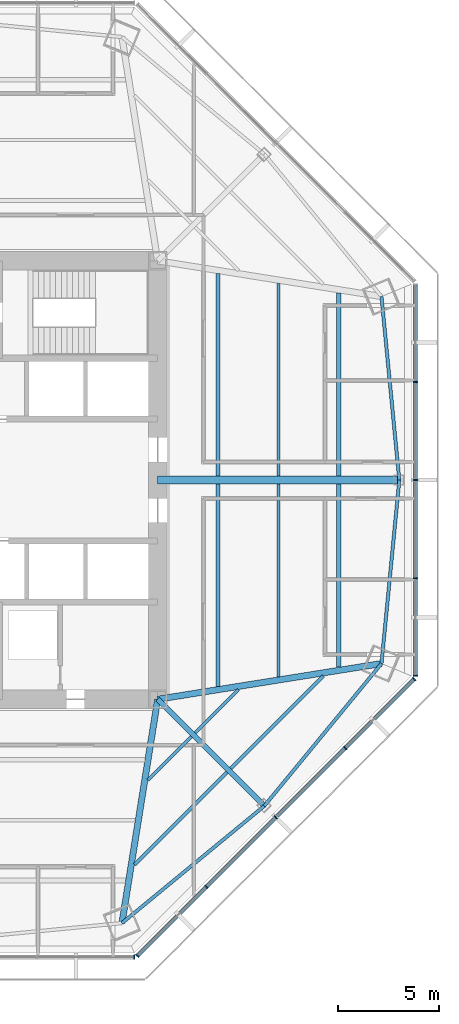
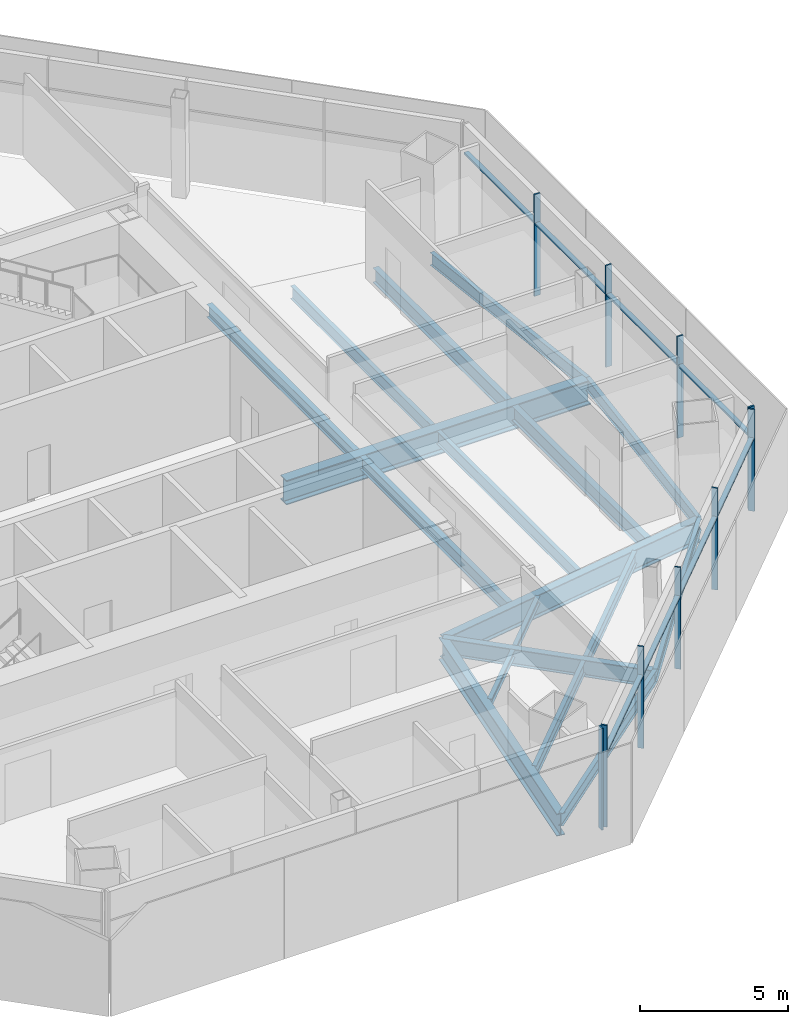
# One storey, part 4 of 15: 18 beams, 18 members, 3 elements without a shape of their own.
"""IFC4 building model written with IfcOpenShell, lengths in metres."""

from ifc_helpers import new_model, si_unit, direction, frame, origin, origin_2d, place, context, subcontext, project, spatial, rectangle, i_section, extrude, source, transform, mapped, material, material_profile, profile_set, type_object, type_shapes, element, aggregate, save


model = new_model("IFC4")

# Units and contexts
model_context = context("Model", 3, precision=1e-05, world=origin(), true_north=direction((0.0, 1.0)))
body_context = subcontext(model_context, "Body", "Model", "MODEL_VIEW")
ifc_project = project(units=[si_unit("LENGTHUNIT", "METRE"), si_unit("AREAUNIT", "SQUARE_METRE"), si_unit("VOLUMEUNIT", "CUBIC_METRE"), si_unit("PLANEANGLEUNIT", "RADIAN"), si_unit("MASSUNIT", "GRAM", prefix="KILO")], contexts=[model_context])

# Site, building, storey
site_placement = place(None, origin())
site = spatial("IfcSite", under=ifc_project, at=site_placement, CompositionType="ELEMENT")
building_placement = place(site_placement, origin())
building = spatial("IfcBuilding", under=site, at=building_placement, Name="Mashrafa Tower", CompositionType="ELEMENT")
storey_placement = place(building_placement, frame((0.0, 0.0, 159.60009765625)))
storey = spatial("IfcBuildingStorey", under=building, at=storey_placement, Name="L36", CompositionType="ELEMENT", Elevation=159.60009765625)

# Beams
ifc_material_1 = material(Name="Steel ASTM A992", Category="steel")
ifc_material_profile_1 = material_profile(ifc_material_1, i_section(OverallWidth=0.164794921875, OverallDepth=0.309814453125, WebThickness=0.005859375, FlangeThickness=0.009765625, FilletRadius=0.007568359375, at=origin_2d()), Name="W12X26")
ifc_profile_set_1 = profile_set([ifc_material_profile_1], Name="Steel ASTM A992")
beam_type_1 = type_object("IfcBeamType", Name="Beam W12X26", PredefinedType="BEAM", material=ifc_profile_set_1)
for number, where, z_axis, x_axis, name in (
    (1, (12.460693359375, -12.64208984375, -0.320068359375), (-0.707066454586, -0.707147105488, 0.0), (0.707147105488, -0.707066454586, 0.0), "Floor beam L36 029"),
    (2, (14.78271484375, -10.3203125, -0.320068359375), (-0.707147105488, -0.707066454586, 0.0), (0.707066454586, -0.707147105488, 0.0), "Floor beam L36 035"),
):
    element("IfcBeam", number, at=place(storey_placement, frame(where, z_axis=z_axis, x_axis=x_axis)), inside=storey, type_object=beam_type_1, Name=name, PredefinedType="BEAM", context=body_context, shape_type="SweptSolid", body=[
        extrude(i_section(OverallWidth=0.164794921875, OverallDepth=0.309814453125, WebThickness=0.005859375, FlangeThickness=0.009765625, FilletRadius=0.007568359375, at=origin_2d()), origin(), (0.0, 0.0, 1.0), 3.027099609375),
    ])
ifc_material_2 = material(Name="Steel ASTM A992", Category="steel")
ifc_material_profile_2 = material_profile(ifc_material_2, i_section(OverallWidth=0.1650390625, OverallDepth=0.52587890625, WebThickness=0.0087890625, FlangeThickness=0.011474609375, FilletRadius=0.0126953125, at=origin_2d()), Name="W21X44")
ifc_profile_set_2 = profile_set([ifc_material_profile_2], Name="Steel ASTM A992")
beam_type_2 = type_object("IfcBeamType", Name="Beam W21X44", PredefinedType="BEAM", material=ifc_profile_set_2)
for number, where, z_axis, x_axis, name in (
    (3, (14.21240234375, -14.393798828125, -0.427978515625), (-0.707125722477, -0.707087839389, 0.0), (0.707087839389, -0.707125722477, 0.0), "Floor beam L36 033"),
    (4, (18.95068359375, -9.6552734375, -0.427978515625), (-0.707087839389, -0.707125722477, 0.0), (0.707125722477, -0.707087839389, 0.0), "Floor beam L36 038"),
):
    element("IfcBeam", number, at=place(storey_placement, frame(where, z_axis=z_axis, x_axis=x_axis)), inside=storey, type_object=beam_type_2, Name=name, PredefinedType="BEAM", context=body_context, shape_type="SweptSolid", body=[
        extrude(i_section(OverallWidth=0.1650390625, OverallDepth=0.52587890625, WebThickness=0.0087890625, FlangeThickness=0.011474609375, FilletRadius=0.0126953125, at=origin_2d()), origin(), (0.0, 0.0, 1.0), 6.444580078125),
    ])
for number, where, z_axis, x_axis, name in (
    (5, (9.040771484375, -21.826416015625, -0.427978515625), (0.772145878727, 0.635445309972, 0.0), (-0.635445309972, 0.772145878727, 0.0), "Spandrel beam L36 066"),
    (6, (16.054443359375, -16.054443359375, -0.427978515625), (0.635445309972, 0.772145878727, 0.0), (-0.772145878727, 0.635445309972, 0.0), "Spandrel beam L36 068"),
    (7, (21.826416015625, -9.040771484375, -0.427978515625), (0.096679808275, 0.995315535231, 0.0), (-0.995315535231, 0.096679808275, 0.0), "Spandrel beam L36 070"),
    (8, (22.70458984375, 0.0, -0.427978515625), (-0.096679808275, 0.995315535231, 0.0), (-0.995315535231, -0.096679808275, 0.0), "Spandrel beam L36 072"),
):
    element("IfcBeam", number, at=place(storey_placement, frame(where, z_axis=z_axis, x_axis=x_axis)), inside=storey, type_object=beam_type_2, Name=name, PredefinedType="BEAM", context=body_context, shape_type="SweptSolid", body=[
        extrude(i_section(OverallWidth=0.1650390625, OverallDepth=0.52587890625, WebThickness=0.0087890625, FlangeThickness=0.011474609375, FilletRadius=0.0126953125, at=origin_2d()), origin(), (0.0, 0.0, 1.0), 9.083251953125),
    ])
ifc_material_3 = material(Name="Steel ASTM A992", Category="steel")
ifc_material_profile_3 = material_profile(ifc_material_3, i_section(OverallWidth=0.165771484375, OverallDepth=0.5283203125, WebThickness=0.009765625, FlangeThickness=0.013671875, FilletRadius=0.012939453125, at=origin_2d()), Name="W21X50")
ifc_profile_set_3 = profile_set([ifc_material_profile_3], Name="Steel ASTM A992")
beam_type_3 = type_object("IfcBeamType", Name="Beam W21X50", PredefinedType="BEAM", material=ifc_profile_set_3)
for number, where, z_axis, x_axis, name in (
    (9, (16.752197265625, -0.20068359375, -0.42919921875), (0.0, -1.0, 0.0), (1.0, 0.0, 0.0), "Floor beam L36 036"),
    (10, (16.752197265625, 9.694580078125, -0.42919921875), (0.0, -1.0, 0.0), (1.0, 0.0, 0.0), "Floor beam L36 037"),
):
    element("IfcBeam", number, at=place(storey_placement, frame(where, z_axis=z_axis, x_axis=x_axis)), inside=storey, type_object=beam_type_3, Name=name, PredefinedType="BEAM", context=body_context, shape_type="SweptSolid", body=[
        extrude(i_section(OverallWidth=0.165771484375, OverallDepth=0.5283203125, WebThickness=0.009765625, FlangeThickness=0.013671875, FilletRadius=0.012939453125, at=origin_2d()), origin(), (0.0, 0.0, 1.0), 9.493896484375),
    ])
ifc_material_4 = material(Name="Steel ASTM A992", Category="steel")
ifc_material_profile_4 = material_profile(ifc_material_4, i_section(OverallWidth=0.209228515625, OverallDepth=0.533447265625, WebThickness=0.01025390625, FlangeThickness=0.015625, FilletRadius=0.012939453125, at=origin_2d()), Name="W21X62")
ifc_profile_set_4 = profile_set([ifc_material_profile_4], Name="Steel ASTM A992")
beam_type_4 = type_object("IfcBeamType", Name="Beam W21X62", PredefinedType="BEAM", material=ifc_profile_set_4)
for number, where, z_axis, x_axis, name in (
    (11, (13.776123046875, -0.20068359375, -0.431884765625), (0.0, -1.0, 0.0), (1.0, 0.0, 0.0), "Floor beam L36 031"),
    (12, (13.776123046875, 10.169677734375, -0.431884765625), (0.0, -1.0, 0.0), (1.0, 0.0, 0.0), "Floor beam L36 032"),
):
    element("IfcBeam", number, at=place(storey_placement, frame(where, z_axis=z_axis, x_axis=x_axis)), inside=storey, type_object=beam_type_4, Name=name, PredefinedType="BEAM", context=body_context, shape_type="SweptSolid", body=[
        extrude(i_section(OverallWidth=0.209228515625, OverallDepth=0.533447265625, WebThickness=0.01025390625, FlangeThickness=0.015625, FilletRadius=0.012939453125, at=origin_2d()), origin(), (0.0, 0.0, 1.0), 9.968994140625),
    ])
ifc_material_5 = material(Name="Steel ASTM A992", Category="steel")
ifc_material_profile_5 = material_profile(ifc_material_5, i_section(OverallWidth=0.227783203125, OverallDepth=0.60205078125, WebThickness=0.010498046875, FlangeThickness=0.014892578125, FilletRadius=0.012939453125, at=origin_2d()), Name="W24X68")
ifc_profile_set_5 = profile_set([ifc_material_profile_5], Name="Steel ASTM A992")
beam_type_5 = type_object("IfcBeamType", Name="Beam W24X68", PredefinedType="BEAM", material=ifc_profile_set_5)
for number, where, z_axis, x_axis, name in (
    (13, (19.728515625, -0.20068359375, -0.466064453125), (0.0, -1.0, 0.0), (1.0, 0.0, 0.0), "Floor beam L36 039"),
    (14, (19.728515625, 9.219970703125, -0.466064453125), (0.0, -1.0, 0.0), (1.0, 0.0, 0.0), "Floor beam L36 040"),
):
    element("IfcBeam", number, at=place(storey_placement, frame(where, z_axis=z_axis, x_axis=x_axis)), inside=storey, type_object=beam_type_5, Name=name, PredefinedType="BEAM", context=body_context, shape_type="SweptSolid", body=[
        extrude(i_section(OverallWidth=0.227783203125, OverallDepth=0.60205078125, WebThickness=0.010498046875, FlangeThickness=0.014892578125, FilletRadius=0.012939453125, at=origin_2d()), origin(), (0.0, 0.0, 1.0), 9.019287109375),
    ])
ifc_material_6 = material(Name="Steel ASTM A992", Category="steel")
ifc_material_profile_6 = material_profile(ifc_material_6, i_section(OverallWidth=0.256591796875, OverallDepth=0.693359375, WebThickness=0.014404296875, FlangeThickness=0.023681640625, FilletRadius=0.01513671875, at=origin_2d()), Name="W27X114")
ifc_profile_set_6 = profile_set([ifc_material_profile_6], Name="Steel ASTM A992")
beam_type_6 = type_object("IfcBeamType", Name="Beam W27X114", PredefinedType="BEAM", material=ifc_profile_set_6)
beam_1_placement = place(storey_placement, frame((10.800048828125, -10.800048828125, -0.51171875), z_axis=(0.707106781187, -0.707106781187, 0.0), x_axis=(0.707106781187, 0.707106781187, 0.0)))
element("IfcBeam", 15, at=beam_1_placement, inside=storey, type_object=beam_type_6, Name="Radial girder L36 051", PredefinedType="BEAM", context=body_context, shape_type="SweptSolid", body=[
    extrude(i_section(OverallWidth=0.256591796875, OverallDepth=0.693359375, WebThickness=0.014404296875, FlangeThickness=0.023681640625, FilletRadius=0.01513671875, at=origin_2d()), origin(), (0.0, 0.0, 1.0), 7.430908203125),
])
ifc_material_7 = material(Name="Steel ASTM A992", Category="steel")
ifc_material_profile_7 = material_profile(ifc_material_7, i_section(OverallWidth=0.307373046875, OverallDepth=0.927001953125, WebThickness=0.01953125, FlangeThickness=0.031982421875, FilletRadius=0.01904296875, at=origin_2d()), Name="W36X194")
ifc_profile_set_7 = profile_set([ifc_material_profile_7], Name="Steel ASTM A992")
beam_type_7 = type_object("IfcBeamType", Name="Beam W36X194", PredefinedType="BEAM", material=ifc_profile_set_7)
for number, where, z_axis, x_axis, name in (
    (16, (10.800048828125, -10.800048828125, -0.628662109375), (-0.157558985412, -0.987509577734, 0.0), (0.987509577734, -0.157558985412, 0.0), "Radial girder L36 050"),
    (17, (10.800048828125, -10.800048828125, -0.628662109375), (0.987509577734, 0.157558985412, 0.0), (-0.157558985412, 0.987509577734, 0.0), "Radial girder L36 052"),
):
    element("IfcBeam", number, at=place(storey_placement, frame(where, z_axis=z_axis, x_axis=x_axis)), inside=storey, type_object=beam_type_7, Name=name, PredefinedType="BEAM", context=body_context, shape_type="SweptSolid", body=[
        extrude(i_section(OverallWidth=0.307373046875, OverallDepth=0.927001953125, WebThickness=0.01953125, FlangeThickness=0.031982421875, FilletRadius=0.01904296875, at=origin_2d()), origin(), (0.0, 0.0, 1.0), 11.165771484375),
    ])
ifc_material_8 = material(Name="Steel ASTM A992", Category="steel")
ifc_material_profile_8 = material_profile(ifc_material_8, i_section(OverallWidth=0.4013671875, OverallDepth=1.010986328125, WebThickness=0.023681640625, FlangeThickness=0.0419921875, FilletRadius=0.02001953125, at=origin_2d()), Name="W40X297")
ifc_profile_set_8 = profile_set([ifc_material_profile_8], Name="Steel ASTM A992")
beam_type_8 = type_object("IfcBeamType", Name="Beam W40X297", PredefinedType="BEAM", material=ifc_profile_set_8)
beam_2_placement = place(storey_placement, frame((10.800048828125, 0.0, -0.670654296875), z_axis=(1.0, 0.0, 0.0), x_axis=(0.0, 1.0, 0.0)))
element("IfcBeam", 18, at=beam_2_placement, inside=storey, type_object=beam_type_8, Name="Radial girder L36 053", PredefinedType="BEAM", context=body_context, shape_type="SweptSolid", body=[
    extrude(i_section(OverallWidth=0.4013671875, OverallDepth=1.010986328125, WebThickness=0.023681640625, FlangeThickness=0.0419921875, FilletRadius=0.02001953125, at=origin_2d()), origin(), (0.0, 0.0, 1.0), 11.904541015625),
])

# Curtain wall, members
ifc_material_9 = material(Name="Unitised aluminium curtain wall", Category="aluminium")
curtain_wall_type = type_object("IfcCurtainWallType", Name="Office curtain wall, zone 2 CW-B 225 deep", PredefinedType="NOTDEFINED", material=ifc_material_9)
curtain_wall_1_placement = place(storey_placement, origin())
curtain_wall_1 = element("IfcCurtainWall", 19, at=curtain_wall_1_placement, inside=storey, type_object=curtain_wall_type, Name="Office curtain wall, zone 2 L36 east", PredefinedType="NOTDEFINED")
ifc_material_10 = material(Name="Extruded aluminium mullion", Category="aluminium")
ifc_material_profile_9 = material_profile(ifc_material_10, rectangle(XDim=0.22509765625, YDim=0.06494140625, at=origin_2d()), Name="Mullion 65x225")
ifc_profile_set_9 = profile_set([ifc_material_profile_9], Name="Extruded aluminium mullion")
member_type_1 = type_object("IfcMemberType", Name="Mullion CW-B 65 x 225", PredefinedType="MULLION", material=ifc_profile_set_9)
shared_shape_1 = source(origin(), body_context, "Body", "SweptSolid", [
    extrude(rectangle(XDim=0.22509765625, YDim=0.06494140625, at=origin_2d()), origin(), (0.0, 0.0, 1.0), 4.199951171875),
])
type_shapes(member_type_1, [shared_shape_1])
member_1_placement = place(storey_placement, frame((23.499755859375, -9.644775390625, 0.0), z_axis=(0.0, 0.0, 1.0), x_axis=(-1.0, 0.0, 0.0)))
member_1 = element("IfcMember", 20, at=member_1_placement, type_object=member_type_1, Name="CW-B mullion 1", PredefinedType="MULLION", context=body_context, shape_type="MappedRepresentation", body=[
    mapped(shared_shape_1, transform((0.0, 0.0, 0.0))),
])
member_2_placement = place(storey_placement, frame((23.499755859375, -4.838623046875, 0.0), z_axis=(0.0, 0.0, 1.0), x_axis=(-1.0, 0.0, 0.0)))
member_2 = element("IfcMember", 21, at=member_2_placement, type_object=member_type_1, Name="CW-B mullion 2", PredefinedType="MULLION", context=body_context, shape_type="MappedRepresentation", body=[
    mapped(shared_shape_1, transform((0.0, 0.0, 0.0))),
])
member_3_placement = place(storey_placement, frame((23.499755859375, 0.0, 0.0), z_axis=(0.0, 0.0, 1.0), x_axis=(-1.0, 0.0, 0.0)))
member_3 = element("IfcMember", 22, at=member_3_placement, type_object=member_type_1, Name="CW-B mullion 3", PredefinedType="MULLION", context=body_context, shape_type="MappedRepresentation", body=[
    mapped(shared_shape_1, transform((0.0, 0.0, 0.0))),
])
member_4_placement = place(storey_placement, frame((23.499755859375, 4.838623046875, 0.0), z_axis=(0.0, 0.0, 1.0), x_axis=(-1.0, 0.0, 0.0)))
member_4 = element("IfcMember", 23, at=member_4_placement, type_object=member_type_1, Name="CW-B mullion 4", PredefinedType="MULLION", context=body_context, shape_type="MappedRepresentation", body=[
    mapped(shared_shape_1, transform((0.0, 0.0, 0.0))),
])

# Curtain wall, member
curtain_wall_2_placement = place(storey_placement, origin())
curtain_wall_2 = element("IfcCurtainWall", 24, at=curtain_wall_2_placement, inside=storey, type_object=curtain_wall_type, Name="Office curtain wall, zone 2 L36 south", PredefinedType="NOTDEFINED")
member_5_placement = place(storey_placement, frame((9.644775390625, -23.499755859375, 0.0), z_axis=(0.0, 0.0, 1.0), x_axis=(0.0, 1.0, 0.0)))
member_5 = element("IfcMember", 25, at=member_5_placement, type_object=member_type_1, Name="CW-B mullion 5", PredefinedType="MULLION", context=body_context, shape_type="MappedRepresentation", body=[
    mapped(shared_shape_1, transform((0.0, 0.0, 0.0))),
])
aggregate(curtain_wall_2, [member_5])

# Curtain wall, members
curtain_wall_3_placement = place(storey_placement, origin())
curtain_wall_3 = element("IfcCurtainWall", 26, at=curtain_wall_3_placement, inside=storey, type_object=curtain_wall_type, Name="Office curtain wall, zone 2 L36 south-east", PredefinedType="NOTDEFINED")
member_6_placement = place(storey_placement, frame((9.796875, -23.436767578125, 0.0), z_axis=(0.0, 0.0, 1.0), x_axis=(-0.707106781187, 0.707106781187, 0.0)))
member_6 = element("IfcMember", 27, at=member_6_placement, type_object=member_type_1, Name="CW-B mullion 1", PredefinedType="MULLION", context=body_context, shape_type="MappedRepresentation", body=[
    mapped(shared_shape_1, transform((0.0, 0.0, 0.0))),
])
member_7_placement = place(storey_placement, frame((13.195556640625, -20.038330078125, 0.0), z_axis=(0.0, 0.0, 1.0), x_axis=(-0.707106781187, 0.707106781187, 0.0)))
member_7 = element("IfcMember", 28, at=member_7_placement, type_object=member_type_1, Name="CW-B mullion 2", PredefinedType="MULLION", context=body_context, shape_type="MappedRepresentation", body=[
    mapped(shared_shape_1, transform((0.0, 0.0, 0.0))),
])
member_8_placement = place(storey_placement, frame((16.616943359375, -16.616943359375, 0.0), z_axis=(0.0, 0.0, 1.0), x_axis=(-0.707106781187, 0.707106781187, 0.0)))
member_8 = element("IfcMember", 29, at=member_8_placement, type_object=member_type_1, Name="CW-B mullion 3", PredefinedType="MULLION", context=body_context, shape_type="MappedRepresentation", body=[
    mapped(shared_shape_1, transform((0.0, 0.0, 0.0))),
])
member_9_placement = place(storey_placement, frame((20.038330078125, -13.195556640625, 0.0), z_axis=(0.0, 0.0, 1.0), x_axis=(-0.707106781187, 0.707106781187, 0.0)))
member_9 = element("IfcMember", 30, at=member_9_placement, type_object=member_type_1, Name="CW-B mullion 4", PredefinedType="MULLION", context=body_context, shape_type="MappedRepresentation", body=[
    mapped(shared_shape_1, transform((0.0, 0.0, 0.0))),
])
member_10_placement = place(storey_placement, frame((23.436767578125, -9.796875, 0.0), z_axis=(0.0, 0.0, 1.0), x_axis=(-0.707106781187, 0.707106781187, 0.0)))
member_10 = element("IfcMember", 31, at=member_10_placement, type_object=member_type_1, Name="CW-B mullion 5", PredefinedType="MULLION", context=body_context, shape_type="MappedRepresentation", body=[
    mapped(shared_shape_1, transform((0.0, 0.0, 0.0))),
])

# Member
ifc_material_11 = material(Name="Extruded aluminium transom", Category="aluminium")
ifc_material_profile_10 = material_profile(ifc_material_11, rectangle(XDim=0.179931640625, YDim=0.080078125, at=origin_2d()), Name="Transom 80x180")
ifc_profile_set_10 = profile_set([ifc_material_profile_10], Name="Extruded aluminium transom")
member_type_2 = type_object("IfcMemberType", Name="Transom CW-B 80 x 180", PredefinedType="MULLION", material=ifc_profile_set_10)
shared_shape_2 = source(origin(), body_context, "Body", "SweptSolid", [
    extrude(rectangle(XDim=0.179931640625, YDim=0.080078125, at=origin_2d()), origin(), (0.0, 0.0, 1.0), 4.7412109375),
])
member_11_placement = place(storey_placement, frame((23.499755859375, -9.6123046875, 3.0), z_axis=(0.0, 1.0, 0.0), x_axis=(-1.0, 0.0, 0.0)))
member_11 = element("IfcMember", 32, at=member_11_placement, type_object=member_type_2, Name="CW-B transom 1", PredefinedType="MULLION", context=body_context, shape_type="MappedRepresentation", body=[
    mapped(shared_shape_2, transform((0.0, 0.0, 0.0))),
])

member_12_placement = place(storey_placement, frame((23.499755859375, 4.87109375, 3.0), z_axis=(0.0, 1.0, 0.0), x_axis=(-1.0, 0.0, 0.0)))
member_12 = element("IfcMember", 33, at=member_12_placement, type_object=member_type_2, Name="CW-B transom 4", PredefinedType="MULLION", context=body_context, shape_type="MappedRepresentation", body=[
    mapped(shared_shape_2, transform((0.0, 0.0, 0.0))),
])

member_13_placement = place(storey_placement, frame((9.81982421875, -23.413818359375, 3.0), z_axis=(0.707106781187, 0.707106781187, 0.0), x_axis=(-0.707106781187, 0.707106781187, 0.0)))
member_13 = element("IfcMember", 34, at=member_13_placement, type_object=member_type_2, Name="CW-B transom 1", PredefinedType="MULLION", context=body_context, shape_type="MappedRepresentation", body=[
    mapped(shared_shape_2, transform((0.0, 0.0, 0.0))),
])

member_14_placement = place(storey_placement, frame((20.061279296875, -13.17236328125, 3.0), z_axis=(0.707106781187, 0.707106781187, 0.0), x_axis=(-0.707106781187, 0.707106781187, 0.0)))
member_14 = element("IfcMember", 35, at=member_14_placement, type_object=member_type_2, Name="CW-B transom 4", PredefinedType="MULLION", context=body_context, shape_type="MappedRepresentation", body=[
    mapped(shared_shape_2, transform((0.0, 0.0, 0.0))),
])

shared_shape_3 = source(origin(), body_context, "Body", "SweptSolid", [
    extrude(rectangle(XDim=0.179931640625, YDim=0.080078125, at=origin_2d()), origin(), (0.0, 0.0, 1.0), 4.773681640625),
])
type_shapes(member_type_2, [shared_shape_2, shared_shape_3])
member_15_placement = place(storey_placement, frame((23.499755859375, -4.80615234375, 3.0), z_axis=(0.0, 1.0, 0.0), x_axis=(-1.0, 0.0, 0.0)))
member_15 = element("IfcMember", 36, at=member_15_placement, type_object=member_type_2, Name="CW-B transom 2", PredefinedType="MULLION", context=body_context, shape_type="MappedRepresentation", body=[
    mapped(shared_shape_3, transform((0.0, 0.0, 0.0))),
])

member_16_placement = place(storey_placement, frame((23.499755859375, 0.032470703125, 3.0), z_axis=(0.0, 1.0, 0.0), x_axis=(-1.0, 0.0, 0.0)))
member_16 = element("IfcMember", 37, at=member_16_placement, type_object=member_type_2, Name="CW-B transom 3", PredefinedType="MULLION", context=body_context, shape_type="MappedRepresentation", body=[
    mapped(shared_shape_3, transform((0.0, 0.0, 0.0))),
])

aggregate(curtain_wall_1, [member_1, member_2, member_3, member_4, member_11, member_15, member_16, member_12])

member_17_placement = place(storey_placement, frame((13.218505859375, -20.015380859375, 3.0), z_axis=(0.707106781187, 0.707106781187, 0.0), x_axis=(-0.707106781187, 0.707106781187, 0.0)))
member_17 = element("IfcMember", 38, at=member_17_placement, type_object=member_type_2, Name="CW-B transom 2", PredefinedType="MULLION", context=body_context, shape_type="MappedRepresentation", body=[
    mapped(shared_shape_3, transform((0.0, 0.0, 0.0))),
])

member_18_placement = place(storey_placement, frame((16.639892578125, -16.593994140625, 3.0), z_axis=(0.707106781187, 0.707106781187, 0.0), x_axis=(-0.707106781187, 0.707106781187, 0.0)))
member_18 = element("IfcMember", 39, at=member_18_placement, type_object=member_type_2, Name="CW-B transom 3", PredefinedType="MULLION", context=body_context, shape_type="MappedRepresentation", body=[
    mapped(shared_shape_3, transform((0.0, 0.0, 0.0))),
])

aggregate(curtain_wall_3, [member_6, member_7, member_8, member_9, member_10, member_13, member_17, member_18, member_14])

save(model, "model.ifc")
